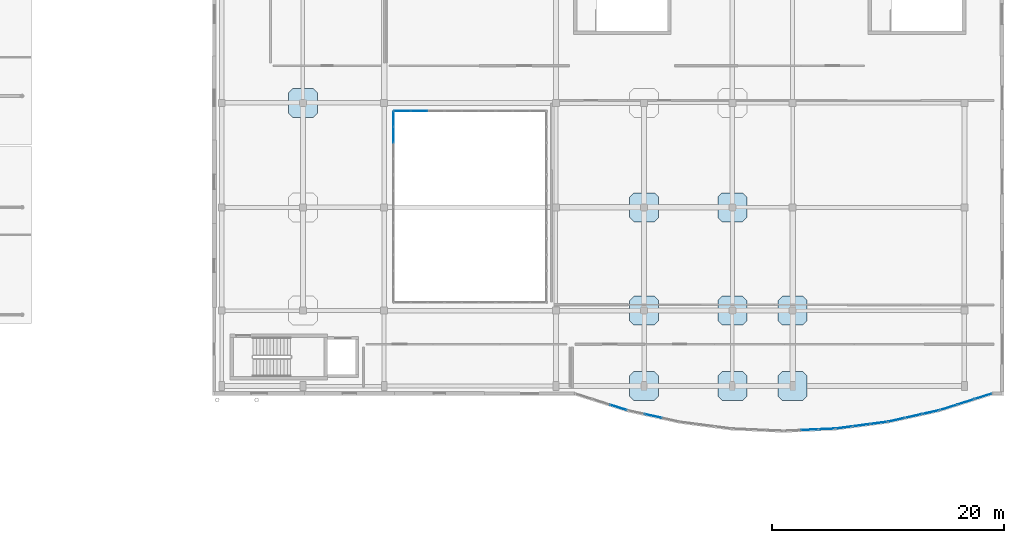
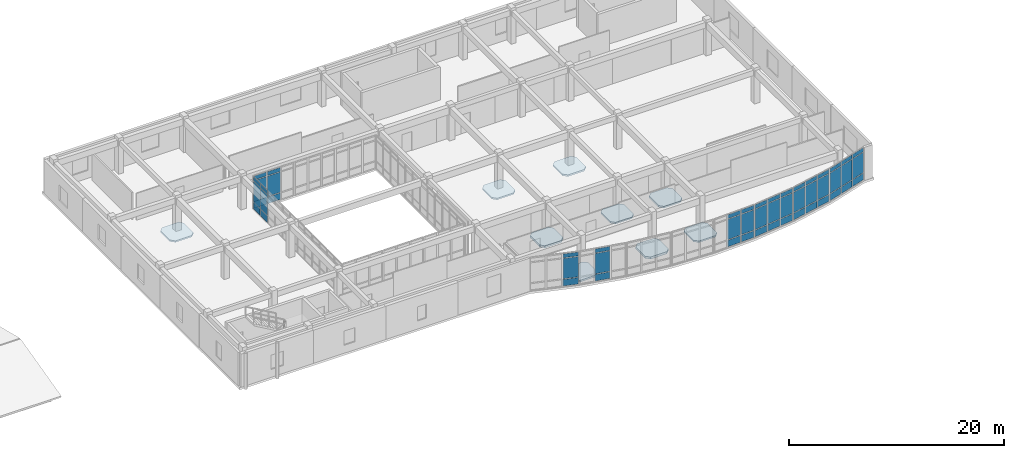
# One storey, part 68 of 91: 51 plates, 9 slabs, 8 elements without a shape of their own.
"""IFC4 building model written with IfcOpenShell, lengths in metres."""

from ifc_helpers import new_model, si_unit, direction, frame, origin, origin_2d, place, context, subcontext, project, spatial, polyline, rectangle, outline, extrude, material, layer, layer_set, type_object, element, aggregate, save


model = new_model("IFC4")

# Units and contexts
model_context = context("Model", 3, precision=1e-05, world=origin(), true_north=direction((0.0, 1.0)))
body_context = subcontext(model_context, "Body", "Model", "MODEL_VIEW")
ifc_project = project(units=[si_unit("LENGTHUNIT", "METRE"), si_unit("AREAUNIT", "SQUARE_METRE"), si_unit("VOLUMEUNIT", "CUBIC_METRE"), si_unit("PLANEANGLEUNIT", "RADIAN"), si_unit("MASSUNIT", "GRAM", prefix="KILO")], contexts=[model_context])

# Site, building, storey
site_placement = place(None, origin())
site = spatial("IfcSite", under=ifc_project, at=site_placement, CompositionType="ELEMENT")
building_placement = place(site_placement, origin())
building = spatial("IfcBuilding", under=site, at=building_placement, Name="Valcora Specialist Clinic", CompositionType="ELEMENT")
storey_placement = place(building_placement, frame((0.0, 0.0, 13.60009765625)))
storey = spatial("IfcBuildingStorey", under=building, at=storey_placement, Name="L03", CompositionType="ELEMENT", Elevation=13.60009765625)

# Curtain wall, plates
ifc_material_1 = material(Name="Anodized Bronze Aluminium 6063-T6", Category="aluminium")
ifc_layer_1 = layer(ifc_material_1, 0.175048828125)
ifc_layer_set_1 = layer_set([ifc_layer_1], Name="Anodized Bronze Aluminium 6063-T6")
curtain_wall_type_1 = type_object("IfcCurtainWallType", Name="TY-CW-ARC40", PredefinedType="NOTDEFINED", material=ifc_layer_set_1)
curtain_wall_1_placement = place(storey_placement, origin())
curtain_wall_1 = element("IfcCurtainWall", 1, at=curtain_wall_1_placement, inside=storey, type_object=curtain_wall_type_1, Name="Curtain wall CW-L03-118", PredefinedType="NOTDEFINED")
ifc_material_2 = material(Name="Low-E Laminated Insulating Glass", Category="glass")
ifc_layer_2 = layer(ifc_material_2, 0.028076171875)
ifc_layer_set_2 = layer_set([ifc_layer_2], Name="Low-E Laminated Insulating Glass")
plate_type_1 = type_object("IfcPlateType", Name="TY-CWP-GLZ28", PredefinedType="CURTAIN_PANEL", material=ifc_layer_set_2)
plate_1_placement = place(storey_placement, frame((123.09716796875, 72.543701171875, 0.88232421875), z_axis=(0.0, 0.0, 1.0), x_axis=(-0.976278614432, -0.216518052372, 0.0)))
plate_1 = element("IfcPlate", 2, at=plate_1_placement, type_object=plate_type_1, Name="CW-ARC-40 panel 1.2", PredefinedType="CURTAIN_PANEL", context=body_context, shape_type="SweptSolid", body=[
    extrude(rectangle(XDim=1.4345703125, YDim=0.028076171875, at=origin_2d()), origin(), (0.0, 0.0, 1.0), 2.31005859375),
])
plate_2_placement = place(storey_placement, frame((123.09716796875, 72.543701171875, 3.25732421875), z_axis=(0.0, 0.0, 1.0), x_axis=(-0.976278614432, -0.216518052372, 0.0)))
plate_2 = element("IfcPlate", 3, at=plate_2_placement, type_object=plate_type_1, Name="CW-ARC-40 panel 1.3", PredefinedType="CURTAIN_PANEL", context=body_context, shape_type="SweptSolid", body=[
    extrude(rectangle(XDim=1.4345703125, YDim=0.028076171875, at=origin_2d()), origin(), (0.0, 0.0, 1.0), 0.452392578125),
])
plate_3_placement = place(storey_placement, frame((121.617431640625, 72.21533203125, 0.88232421875), z_axis=(0.0, 0.0, 1.0), x_axis=(-0.976278614432, -0.216518052372, 0.0)))
plate_3 = element("IfcPlate", 4, at=plate_3_placement, type_object=plate_type_1, Name="CW-ARC-40 panel 2.2", PredefinedType="CURTAIN_PANEL", context=body_context, shape_type="SweptSolid", body=[
    extrude(rectangle(XDim=1.467041015625, YDim=0.028076171875, at=origin_2d()), origin(), (0.0, 0.0, 1.0), 2.31005859375),
])
plate_4_placement = place(storey_placement, frame((121.617431640625, 72.21533203125, 3.25732421875), z_axis=(0.0, 0.0, 1.0), x_axis=(-0.976278614432, -0.216518052372, 0.0)))
plate_4 = element("IfcPlate", 5, at=plate_4_placement, type_object=plate_type_1, Name="CW-ARC-40 panel 2.3", PredefinedType="CURTAIN_PANEL", context=body_context, shape_type="SweptSolid", body=[
    extrude(rectangle(XDim=1.467041015625, YDim=0.028076171875, at=origin_2d()), origin(), (0.0, 0.0, 1.0), 0.452392578125),
])
plate_5_placement = place(storey_placement, frame((120.1376953125, 71.88720703125, 0.88232421875), z_axis=(0.0, 0.0, 1.0), x_axis=(-0.976278614432, -0.216518052372, 0.0)))
plate_5 = element("IfcPlate", 6, at=plate_5_placement, type_object=plate_type_1, Name="CW-ARC-40 panel 3.2", PredefinedType="CURTAIN_PANEL", context=body_context, shape_type="SweptSolid", body=[
    extrude(rectangle(XDim=1.4345703125, YDim=0.028076171875, at=origin_2d()), origin(), (0.0, 0.0, 1.0), 2.31005859375),
])
plate_6_placement = place(storey_placement, frame((120.1376953125, 71.88720703125, 3.25732421875), z_axis=(0.0, 0.0, 1.0), x_axis=(-0.976278614432, -0.216518052372, 0.0)))
plate_6 = element("IfcPlate", 7, at=plate_6_placement, type_object=plate_type_1, Name="CW-ARC-40 panel 3.3", PredefinedType="CURTAIN_PANEL", context=body_context, shape_type="SweptSolid", body=[
    extrude(rectangle(XDim=1.4345703125, YDim=0.028076171875, at=origin_2d()), origin(), (0.0, 0.0, 1.0), 0.452392578125),
])

curtain_wall_2_placement = place(storey_placement, origin())
curtain_wall_2 = element("IfcCurtainWall", 8, at=curtain_wall_2_placement, inside=storey, type_object=curtain_wall_type_1, Name="Curtain wall CW-L03-120", PredefinedType="NOTDEFINED")
plate_7_placement = place(storey_placement, frame((114.123046875, 71.096435546875, 0.88232421875), z_axis=(0.0, 0.0, 1.0), x_axis=(-0.999061821291, -0.043306780525, 0.0)))
plate_7 = element("IfcPlate", 9, at=plate_7_placement, type_object=plate_type_1, Name="CW-ARC-40 panel 1.2", PredefinedType="CURTAIN_PANEL", context=body_context, shape_type="SweptSolid", body=[
    extrude(rectangle(XDim=1.399658203125, YDim=0.028076171875, at=origin_2d()), origin(), (0.0, 0.0, 1.0), 2.31005859375),
])
plate_8_placement = place(storey_placement, frame((114.123046875, 71.096435546875, 3.25732421875), z_axis=(0.0, 0.0, 1.0), x_axis=(-0.999061821291, -0.043306780525, 0.0)))
plate_8 = element("IfcPlate", 10, at=plate_8_placement, type_object=plate_type_1, Name="CW-ARC-40 panel 1.3", PredefinedType="CURTAIN_PANEL", context=body_context, shape_type="SweptSolid", body=[
    extrude(rectangle(XDim=1.399658203125, YDim=0.028076171875, at=origin_2d()), origin(), (0.0, 0.0, 1.0), 0.452392578125),
])
plate_9_placement = place(storey_placement, frame((112.6435546875, 71.032470703125, 0.88232421875), z_axis=(0.0, 0.0, 1.0), x_axis=(-0.999061821291, -0.043306780525, 0.0)))
plate_9 = element("IfcPlate", 11, at=plate_9_placement, type_object=plate_type_1, Name="CW-ARC-40 panel 2.2", PredefinedType="CURTAIN_PANEL", context=body_context, shape_type="SweptSolid", body=[
    extrude(rectangle(XDim=1.43212890625, YDim=0.028076171875, at=origin_2d()), origin(), (0.0, 0.0, 1.0), 2.31005859375),
])
plate_10_placement = place(storey_placement, frame((112.6435546875, 71.032470703125, 3.25732421875), z_axis=(0.0, 0.0, 1.0), x_axis=(-0.999061821291, -0.043306780525, 0.0)))
plate_10 = element("IfcPlate", 12, at=plate_10_placement, type_object=plate_type_1, Name="CW-ARC-40 panel 2.3", PredefinedType="CURTAIN_PANEL", context=body_context, shape_type="SweptSolid", body=[
    extrude(rectangle(XDim=1.43212890625, YDim=0.028076171875, at=origin_2d()), origin(), (0.0, 0.0, 1.0), 0.452392578125),
])

curtain_wall_3_placement = place(storey_placement, origin())
curtain_wall_3 = element("IfcCurtainWall", 13, at=curtain_wall_3_placement, inside=storey, type_object=curtain_wall_type_1, Name="Curtain wall CW-L03-124", PredefinedType="NOTDEFINED")
plate_11_placement = place(storey_placement, frame((96.1708984375, 72.95751953125, 0.88232421875), z_axis=(0.0, 0.0, 1.0), x_axis=(-0.952916356972, 0.303233270958, 0.0)))
plate_11 = element("IfcPlate", 14, at=plate_11_placement, type_object=plate_type_1, Name="CW-ARC-40 panel 1.2", PredefinedType="CURTAIN_PANEL", context=body_context, shape_type="SweptSolid", body=[
    extrude(rectangle(XDim=1.482177734375, YDim=0.028076171875, at=origin_2d()), origin(), (0.0, 0.0, 1.0), 2.31005859375),
])
plate_12_placement = place(storey_placement, frame((96.1708984375, 72.95751953125, 3.25732421875), z_axis=(0.0, 0.0, 1.0), x_axis=(-0.952916356972, 0.303233270958, 0.0)))
plate_12 = element("IfcPlate", 15, at=plate_12_placement, type_object=plate_type_1, Name="CW-ARC-40 panel 1.3", PredefinedType="CURTAIN_PANEL", context=body_context, shape_type="SweptSolid", body=[
    extrude(rectangle(XDim=1.482177734375, YDim=0.028076171875, at=origin_2d()), origin(), (0.0, 0.0, 1.0), 0.452392578125),
])

ifc_layer_3 = layer(ifc_material_1, 0.175048828125)
ifc_layer_set_3 = layer_set([ifc_layer_3], Name="Anodized Bronze Aluminium 6063-T6")
curtain_wall_type_2 = type_object("IfcCurtainWallType", Name="TY-CW-CRT15", PredefinedType="NOTDEFINED", material=ifc_layer_set_3)
curtain_wall_4_placement = place(storey_placement, origin())
curtain_wall_4 = element("IfcCurtainWall", 16, at=curtain_wall_4_placement, inside=storey, type_object=curtain_wall_type_2, Name="Curtain wall CW-L03-134", PredefinedType="NOTDEFINED")
plate_13_placement = place(storey_placement, frame((76.800048828125, 97.796142578125, 0.88232421875), z_axis=(0.0, 0.0, 1.0), x_axis=(0.0, -1.0, 0.0)))
plate_13 = element("IfcPlate", 17, at=plate_13_placement, type_object=plate_type_1, Name="CW-CRT-15 panel 1.2", PredefinedType="CURTAIN_PANEL", context=body_context, shape_type="SweptSolid", body=[
    extrude(rectangle(XDim=1.277587890625, YDim=0.028076171875, at=origin_2d()), origin(), (0.0, 0.0, 1.0), 2.31005859375),
])
plate_14_placement = place(storey_placement, frame((76.800048828125, 97.796142578125, 3.25732421875), z_axis=(0.0, 0.0, 1.0), x_axis=(0.0, -1.0, 0.0)))
plate_14 = element("IfcPlate", 18, at=plate_14_placement, type_object=plate_type_1, Name="CW-CRT-15 panel 1.3", PredefinedType="CURTAIN_PANEL", context=body_context, shape_type="SweptSolid", body=[
    extrude(rectangle(XDim=1.277587890625, YDim=0.028076171875, at=origin_2d()), origin(), (0.0, 0.0, 1.0), 0.452392578125),
])
plate_15_placement = place(storey_placement, frame((76.800048828125, 96.4375, 0.88232421875), z_axis=(0.0, 0.0, 1.0), x_axis=(0.0, -1.0, 0.0)))
plate_15 = element("IfcPlate", 19, at=plate_15_placement, type_object=plate_type_1, Name="CW-CRT-15 panel 2.2", PredefinedType="CURTAIN_PANEL", context=body_context, shape_type="SweptSolid", body=[
    extrude(rectangle(XDim=1.31005859375, YDim=0.028076171875, at=origin_2d()), origin(), (0.0, 0.0, 1.0), 2.31005859375),
])
plate_16_placement = place(storey_placement, frame((76.800048828125, 96.4375, 3.25732421875), z_axis=(0.0, 0.0, 1.0), x_axis=(0.0, -1.0, 0.0)))
plate_16 = element("IfcPlate", 20, at=plate_16_placement, type_object=plate_type_1, Name="CW-CRT-15 panel 2.3", PredefinedType="CURTAIN_PANEL", context=body_context, shape_type="SweptSolid", body=[
    extrude(rectangle(XDim=1.31005859375, YDim=0.028076171875, at=origin_2d()), origin(), (0.0, 0.0, 1.0), 0.452392578125),
])

curtain_wall_5_placement = place(storey_placement, origin())
curtain_wall_5 = element("IfcCurtainWall", 21, at=curtain_wall_5_placement, inside=storey, type_object=curtain_wall_type_1, Name="Curtain wall CW-L03-117", PredefinedType="NOTDEFINED")
ifc_layer_4 = layer(ifc_material_2, 0.033935546875)
ifc_layer_set_4 = layer_set([ifc_layer_4], Name="Low-E Laminated Insulating Glass")
plate_type_2 = type_object("IfcPlateType", Name="TY-CWP-GLZ34", PredefinedType="CURTAIN_PANEL", material=ifc_layer_set_4)
plate_17_placement = place(storey_placement, frame((127.608642578125, 73.905517578125, 0.88232421875), z_axis=(0.0, 0.0, 1.0), x_axis=(-0.952916356972, -0.303233270958, 0.0)))
plate_17 = element("IfcPlate", 22, at=plate_17_placement, type_object=plate_type_2, Name="CW-ARC-40 panel 1.2", PredefinedType="CURTAIN_PANEL", context=body_context, shape_type="SweptSolid", body=[
    extrude(rectangle(XDim=1.482177734375, YDim=0.033935546875, at=origin_2d()), origin(), (0.0, 0.0, 1.0), 2.31005859375),
])
plate_18_placement = place(storey_placement, frame((127.608642578125, 73.905517578125, 3.25732421875), z_axis=(0.0, 0.0, 1.0), x_axis=(-0.952916356972, -0.303233270958, 0.0)))
plate_18 = element("IfcPlate", 23, at=plate_18_placement, type_object=plate_type_2, Name="CW-ARC-40 panel 1.3", PredefinedType="CURTAIN_PANEL", context=body_context, shape_type="SweptSolid", body=[
    extrude(rectangle(XDim=1.482177734375, YDim=0.033935546875, at=origin_2d()), origin(), (0.0, 0.0, 1.0), 0.452392578125),
])
plate_19_placement = place(storey_placement, frame((126.118896484375, 73.431396484375, 0.88232421875), z_axis=(0.0, 0.0, 1.0), x_axis=(-0.952916356972, -0.303233270958, 0.0)))
plate_19 = element("IfcPlate", 24, at=plate_19_placement, type_object=plate_type_2, Name="CW-ARC-40 panel 2.2", PredefinedType="CURTAIN_PANEL", context=body_context, shape_type="SweptSolid", body=[
    extrude(rectangle(XDim=1.5146484375, YDim=0.033935546875, at=origin_2d()), origin(), (0.0, 0.0, 1.0), 2.31005859375),
])
plate_20_placement = place(storey_placement, frame((126.118896484375, 73.431396484375, 3.25732421875), z_axis=(0.0, 0.0, 1.0), x_axis=(-0.952916356972, -0.303233270958, 0.0)))
plate_20 = element("IfcPlate", 25, at=plate_20_placement, type_object=plate_type_2, Name="CW-ARC-40 panel 2.3", PredefinedType="CURTAIN_PANEL", context=body_context, shape_type="SweptSolid", body=[
    extrude(rectangle(XDim=1.5146484375, YDim=0.033935546875, at=origin_2d()), origin(), (0.0, 0.0, 1.0), 0.452392578125),
])
plate_21_placement = place(storey_placement, frame((124.62890625, 72.95751953125, 0.88232421875), z_axis=(0.0, 0.0, 1.0), x_axis=(-0.952916356972, -0.303233270958, 0.0)))
plate_21 = element("IfcPlate", 26, at=plate_21_placement, type_object=plate_type_2, Name="CW-ARC-40 panel 3.2", PredefinedType="CURTAIN_PANEL", context=body_context, shape_type="SweptSolid", body=[
    extrude(rectangle(XDim=1.482177734375, YDim=0.033935546875, at=origin_2d()), origin(), (0.0, 0.0, 1.0), 2.31005859375),
])
plate_22_placement = place(storey_placement, frame((124.62890625, 72.95751953125, 3.25732421875), z_axis=(0.0, 0.0, 1.0), x_axis=(-0.952916356972, -0.303233270958, 0.0)))
plate_22 = element("IfcPlate", 27, at=plate_22_placement, type_object=plate_type_2, Name="CW-ARC-40 panel 3.3", PredefinedType="CURTAIN_PANEL", context=body_context, shape_type="SweptSolid", body=[
    extrude(rectangle(XDim=1.482177734375, YDim=0.033935546875, at=origin_2d()), origin(), (0.0, 0.0, 1.0), 0.452392578125),
])

curtain_wall_6_placement = place(storey_placement, origin())
curtain_wall_6 = element("IfcCurtainWall", 28, at=curtain_wall_6_placement, inside=storey, type_object=curtain_wall_type_1, Name="Curtain wall CW-L03-119", PredefinedType="NOTDEFINED")
plate_23_placement = place(storey_placement, frame((118.610107421875, 71.61767578125, 0.88232421875), z_axis=(0.0, 0.0, 1.0), x_axis=(-0.991514060421, -0.129999492259, 0.0)))
plate_23 = element("IfcPlate", 29, at=plate_23_placement, type_object=plate_type_2, Name="CW-ARC-40 panel 1.2", PredefinedType="CURTAIN_PANEL", context=body_context, shape_type="SweptSolid", body=[
    extrude(rectangle(XDim=1.410888671875, YDim=0.033935546875, at=origin_2d()), origin(), (0.0, 0.0, 1.0), 2.31005859375),
])
plate_24_placement = place(storey_placement, frame((118.610107421875, 71.61767578125, 3.25732421875), z_axis=(0.0, 0.0, 1.0), x_axis=(-0.991514060421, -0.129999492259, 0.0)))
plate_24 = element("IfcPlate", 30, at=plate_24_placement, type_object=plate_type_2, Name="CW-ARC-40 panel 1.3", PredefinedType="CURTAIN_PANEL", context=body_context, shape_type="SweptSolid", body=[
    extrude(rectangle(XDim=1.410888671875, YDim=0.033935546875, at=origin_2d()), origin(), (0.0, 0.0, 1.0), 0.452392578125),
])
plate_25_placement = place(storey_placement, frame((117.130615234375, 71.423828125, 0.88232421875), z_axis=(0.0, 0.0, 1.0), x_axis=(-0.991514060421, -0.129999492259, 0.0)))
plate_25 = element("IfcPlate", 31, at=plate_25_placement, type_object=plate_type_2, Name="CW-ARC-40 panel 2.2", PredefinedType="CURTAIN_PANEL", context=body_context, shape_type="SweptSolid", body=[
    extrude(rectangle(XDim=1.443359375, YDim=0.033935546875, at=origin_2d()), origin(), (0.0, 0.0, 1.0), 2.31005859375),
])
plate_26_placement = place(storey_placement, frame((117.130615234375, 71.423828125, 3.25732421875), z_axis=(0.0, 0.0, 1.0), x_axis=(-0.991514060421, -0.129999492259, 0.0)))
plate_26 = element("IfcPlate", 32, at=plate_26_placement, type_object=plate_type_2, Name="CW-ARC-40 panel 2.3", PredefinedType="CURTAIN_PANEL", context=body_context, shape_type="SweptSolid", body=[
    extrude(rectangle(XDim=1.443359375, YDim=0.033935546875, at=origin_2d()), origin(), (0.0, 0.0, 1.0), 0.452392578125),
])
plate_27_placement = place(storey_placement, frame((115.65087890625, 71.229736328125, 0.88232421875), z_axis=(0.0, 0.0, 1.0), x_axis=(-0.991514060421, -0.129999492259, 0.0)))
plate_27 = element("IfcPlate", 33, at=plate_27_placement, type_object=plate_type_2, Name="CW-ARC-40 panel 3.2", PredefinedType="CURTAIN_PANEL", context=body_context, shape_type="SweptSolid", body=[
    extrude(rectangle(XDim=1.410888671875, YDim=0.033935546875, at=origin_2d()), origin(), (0.0, 0.0, 1.0), 2.31005859375),
])
plate_28_placement = place(storey_placement, frame((115.65087890625, 71.229736328125, 3.25732421875), z_axis=(0.0, 0.0, 1.0), x_axis=(-0.991514060421, -0.129999492259, 0.0)))
plate_28 = element("IfcPlate", 34, at=plate_28_placement, type_object=plate_type_2, Name="CW-ARC-40 panel 3.3", PredefinedType="CURTAIN_PANEL", context=body_context, shape_type="SweptSolid", body=[
    extrude(rectangle(XDim=1.410888671875, YDim=0.033935546875, at=origin_2d()), origin(), (0.0, 0.0, 1.0), 0.452392578125),
])

curtain_wall_7_placement = place(storey_placement, origin())
curtain_wall_7 = element("IfcCurtainWall", 35, at=curtain_wall_7_placement, inside=storey, type_object=curtain_wall_type_1, Name="Curtain wall CW-L03-123", PredefinedType="NOTDEFINED")
plate_29_placement = place(storey_placement, frame((99.1826171875, 72.21533203125, 0.88232421875), z_axis=(0.0, 0.0, 1.0), x_axis=(-0.976278614432, 0.216518052372, 0.0)))
plate_29 = element("IfcPlate", 36, at=plate_29_placement, type_object=plate_type_2, Name="CW-ARC-40 panel 2.2", PredefinedType="CURTAIN_PANEL", context=body_context, shape_type="SweptSolid", body=[
    extrude(rectangle(XDim=1.467041015625, YDim=0.033935546875, at=origin_2d()), origin(), (0.0, 0.0, 1.0), 2.31005859375),
])
plate_30_placement = place(storey_placement, frame((99.1826171875, 72.21533203125, 3.25732421875), z_axis=(0.0, 0.0, 1.0), x_axis=(-0.976278614432, 0.216518052372, 0.0)))
plate_30 = element("IfcPlate", 37, at=plate_30_placement, type_object=plate_type_2, Name="CW-ARC-40 panel 2.3", PredefinedType="CURTAIN_PANEL", context=body_context, shape_type="SweptSolid", body=[
    extrude(rectangle(XDim=1.467041015625, YDim=0.033935546875, at=origin_2d()), origin(), (0.0, 0.0, 1.0), 0.452392578125),
])

curtain_wall_8_placement = place(storey_placement, origin())
curtain_wall_8 = element("IfcCurtainWall", 38, at=curtain_wall_8_placement, inside=storey, type_object=curtain_wall_type_2, Name="Curtain wall CW-L03-133", PredefinedType="NOTDEFINED")
plate_31_placement = place(storey_placement, frame((79.0, 98.5, 0.88232421875), z_axis=(0.0, 0.0, 1.0), x_axis=(-1.0, 0.0, 0.0)))
plate_31 = element("IfcPlate", 39, at=plate_31_placement, type_object=plate_type_2, Name="CW-CRT-15 panel 2.2", PredefinedType="CURTAIN_PANEL", context=body_context, shape_type="SweptSolid", body=[
    extrude(rectangle(XDim=1.401611328125, YDim=0.033935546875, at=origin_2d()), origin(), (0.0, 0.0, 1.0), 2.31005859375),
])
plate_32_placement = place(storey_placement, frame((79.0, 98.5, 3.25732421875), z_axis=(0.0, 0.0, 1.0), x_axis=(-1.0, 0.0, 0.0)))
plate_32 = element("IfcPlate", 40, at=plate_32_placement, type_object=plate_type_2, Name="CW-CRT-15 panel 2.3", PredefinedType="CURTAIN_PANEL", context=body_context, shape_type="SweptSolid", body=[
    extrude(rectangle(XDim=1.401611328125, YDim=0.033935546875, at=origin_2d()), origin(), (0.0, 0.0, 1.0), 0.452392578125),
])
plate_33_placement = place(storey_placement, frame((77.549560546875, 98.5, 0.88232421875), z_axis=(0.0, 0.0, 1.0), x_axis=(-1.0, 0.0, 0.0)))
plate_33 = element("IfcPlate", 41, at=plate_33_placement, type_object=plate_type_2, Name="CW-CRT-15 panel 3.2", PredefinedType="CURTAIN_PANEL", context=body_context, shape_type="SweptSolid", body=[
    extrude(rectangle(XDim=1.369140625, YDim=0.033935546875, at=origin_2d()), origin(), (0.0, 0.0, 1.0), 2.31005859375),
])
plate_34_placement = place(storey_placement, frame((77.549560546875, 98.5, 3.25732421875), z_axis=(0.0, 0.0, 1.0), x_axis=(-1.0, 0.0, 0.0)))
plate_34 = element("IfcPlate", 42, at=plate_34_placement, type_object=plate_type_2, Name="CW-CRT-15 panel 3.3", PredefinedType="CURTAIN_PANEL", context=body_context, shape_type="SweptSolid", body=[
    extrude(rectangle(XDim=1.369140625, YDim=0.033935546875, at=origin_2d()), origin(), (0.0, 0.0, 1.0), 0.452392578125),
])

# Plate
ifc_material_3 = material(Name="Insulated Spandrel Panel")
ifc_layer_5 = layer(ifc_material_3, 0.044921875)
ifc_layer_set_5 = layer_set([ifc_layer_5], Name="Insulated Spandrel Panel")
plate_type_3 = type_object("IfcPlateType", Name="TY-CWP-SPN45", PredefinedType="SHEET", material=ifc_layer_set_5)
plate_35_placement = place(storey_placement, frame((127.608642578125, 73.905517578125, 0.06494140625), z_axis=(0.0, 0.0, 1.0), x_axis=(-0.952916356972, -0.303233270958, 0.0)))
plate_35 = element("IfcPlate", 43, at=plate_35_placement, type_object=plate_type_3, Name="CW-ARC-40 panel 1.1", PredefinedType="SHEET", context=body_context, shape_type="SweptSolid", body=[
    extrude(rectangle(XDim=1.482177734375, YDim=0.044921875, at=origin_2d()), origin(), (0.0, 0.0, 1.0), 0.75244140625),
])

plate_36_placement = place(storey_placement, frame((126.118896484375, 73.431396484375, 0.06494140625), z_axis=(0.0, 0.0, 1.0), x_axis=(-0.952916356972, -0.303233270958, 0.0)))
plate_36 = element("IfcPlate", 44, at=plate_36_placement, type_object=plate_type_3, Name="CW-ARC-40 panel 2.1", PredefinedType="SHEET", context=body_context, shape_type="SweptSolid", body=[
    extrude(rectangle(XDim=1.5146484375, YDim=0.044921875, at=origin_2d()), origin(), (0.0, 0.0, 1.0), 0.75244140625),
])

plate_37_placement = place(storey_placement, frame((124.62890625, 72.95751953125, 0.06494140625), z_axis=(0.0, 0.0, 1.0), x_axis=(-0.952916356972, -0.303233270958, 0.0)))
plate_37 = element("IfcPlate", 45, at=plate_37_placement, type_object=plate_type_3, Name="CW-ARC-40 panel 3.1", PredefinedType="SHEET", context=body_context, shape_type="SweptSolid", body=[
    extrude(rectangle(XDim=1.482177734375, YDim=0.044921875, at=origin_2d()), origin(), (0.0, 0.0, 1.0), 0.75244140625),
])

aggregate(curtain_wall_5, [plate_35, plate_17, plate_18, plate_36, plate_19, plate_20, plate_37, plate_21, plate_22])

plate_38_placement = place(storey_placement, frame((123.09716796875, 72.543701171875, 0.06494140625), z_axis=(0.0, 0.0, 1.0), x_axis=(-0.976278614432, -0.216518052372, 0.0)))
plate_38 = element("IfcPlate", 46, at=plate_38_placement, type_object=plate_type_3, Name="CW-ARC-40 panel 1.1", PredefinedType="SHEET", context=body_context, shape_type="SweptSolid", body=[
    extrude(rectangle(XDim=1.4345703125, YDim=0.044921875, at=origin_2d()), origin(), (0.0, 0.0, 1.0), 0.75244140625),
])

plate_39_placement = place(storey_placement, frame((121.617431640625, 72.21533203125, 0.06494140625), z_axis=(0.0, 0.0, 1.0), x_axis=(-0.976278614432, -0.216518052372, 0.0)))
plate_39 = element("IfcPlate", 47, at=plate_39_placement, type_object=plate_type_3, Name="CW-ARC-40 panel 2.1", PredefinedType="SHEET", context=body_context, shape_type="SweptSolid", body=[
    extrude(rectangle(XDim=1.467041015625, YDim=0.044921875, at=origin_2d()), origin(), (0.0, 0.0, 1.0), 0.75244140625),
])

plate_40_placement = place(storey_placement, frame((120.1376953125, 71.88720703125, 0.06494140625), z_axis=(0.0, 0.0, 1.0), x_axis=(-0.976278614432, -0.216518052372, 0.0)))
plate_40 = element("IfcPlate", 48, at=plate_40_placement, type_object=plate_type_3, Name="CW-ARC-40 panel 3.1", PredefinedType="SHEET", context=body_context, shape_type="SweptSolid", body=[
    extrude(rectangle(XDim=1.4345703125, YDim=0.044921875, at=origin_2d()), origin(), (0.0, 0.0, 1.0), 0.75244140625),
])

aggregate(curtain_wall_1, [plate_38, plate_1, plate_2, plate_39, plate_3, plate_4, plate_40, plate_5, plate_6])

plate_41_placement = place(storey_placement, frame((118.610107421875, 71.61767578125, 0.06494140625), z_axis=(0.0, 0.0, 1.0), x_axis=(-0.991514060421, -0.129999492259, 0.0)))
plate_41 = element("IfcPlate", 49, at=plate_41_placement, type_object=plate_type_3, Name="CW-ARC-40 panel 1.1", PredefinedType="SHEET", context=body_context, shape_type="SweptSolid", body=[
    extrude(rectangle(XDim=1.410888671875, YDim=0.044921875, at=origin_2d()), origin(), (0.0, 0.0, 1.0), 0.75244140625),
])

plate_42_placement = place(storey_placement, frame((117.130615234375, 71.423828125, 0.06494140625), z_axis=(0.0, 0.0, 1.0), x_axis=(-0.991514060421, -0.129999492259, 0.0)))
plate_42 = element("IfcPlate", 50, at=plate_42_placement, type_object=plate_type_3, Name="CW-ARC-40 panel 2.1", PredefinedType="SHEET", context=body_context, shape_type="SweptSolid", body=[
    extrude(rectangle(XDim=1.443359375, YDim=0.044921875, at=origin_2d()), origin(), (0.0, 0.0, 1.0), 0.75244140625),
])

plate_43_placement = place(storey_placement, frame((115.65087890625, 71.229736328125, 0.06494140625), z_axis=(0.0, 0.0, 1.0), x_axis=(-0.991514060421, -0.129999492259, 0.0)))
plate_43 = element("IfcPlate", 51, at=plate_43_placement, type_object=plate_type_3, Name="CW-ARC-40 panel 3.1", PredefinedType="SHEET", context=body_context, shape_type="SweptSolid", body=[
    extrude(rectangle(XDim=1.410888671875, YDim=0.044921875, at=origin_2d()), origin(), (0.0, 0.0, 1.0), 0.75244140625),
])

aggregate(curtain_wall_6, [plate_41, plate_23, plate_24, plate_42, plate_25, plate_26, plate_43, plate_27, plate_28])

plate_44_placement = place(storey_placement, frame((114.123046875, 71.096435546875, 0.06494140625), z_axis=(0.0, 0.0, 1.0), x_axis=(-0.999061821291, -0.043306780525, 0.0)))
plate_44 = element("IfcPlate", 52, at=plate_44_placement, type_object=plate_type_3, Name="CW-ARC-40 panel 1.1", PredefinedType="SHEET", context=body_context, shape_type="SweptSolid", body=[
    extrude(rectangle(XDim=1.399658203125, YDim=0.044921875, at=origin_2d()), origin(), (0.0, 0.0, 1.0), 0.75244140625),
])

plate_45_placement = place(storey_placement, frame((112.6435546875, 71.032470703125, 0.06494140625), z_axis=(0.0, 0.0, 1.0), x_axis=(-0.999061821291, -0.043306780525, 0.0)))
plate_45 = element("IfcPlate", 53, at=plate_45_placement, type_object=plate_type_3, Name="CW-ARC-40 panel 2.1", PredefinedType="SHEET", context=body_context, shape_type="SweptSolid", body=[
    extrude(rectangle(XDim=1.43212890625, YDim=0.044921875, at=origin_2d()), origin(), (0.0, 0.0, 1.0), 0.75244140625),
])

aggregate(curtain_wall_2, [plate_44, plate_7, plate_8, plate_45, plate_9, plate_10])

plate_46_placement = place(storey_placement, frame((99.1826171875, 72.21533203125, 0.06494140625), z_axis=(0.0, 0.0, 1.0), x_axis=(-0.976278614432, 0.216518052372, 0.0)))
plate_46 = element("IfcPlate", 54, at=plate_46_placement, type_object=plate_type_3, Name="CW-ARC-40 panel 2.1", PredefinedType="SHEET", context=body_context, shape_type="SweptSolid", body=[
    extrude(rectangle(XDim=1.467041015625, YDim=0.044921875, at=origin_2d()), origin(), (0.0, 0.0, 1.0), 0.75244140625),
])

aggregate(curtain_wall_7, [plate_46, plate_29, plate_30])

plate_47_placement = place(storey_placement, frame((96.1708984375, 72.95751953125, 0.06494140625), z_axis=(0.0, 0.0, 1.0), x_axis=(-0.952916356972, 0.303233270958, 0.0)))
plate_47 = element("IfcPlate", 55, at=plate_47_placement, type_object=plate_type_3, Name="CW-ARC-40 panel 1.1", PredefinedType="SHEET", context=body_context, shape_type="SweptSolid", body=[
    extrude(rectangle(XDim=1.482177734375, YDim=0.044921875, at=origin_2d()), origin(), (0.0, 0.0, 1.0), 0.75244140625),
])

aggregate(curtain_wall_3, [plate_47, plate_11, plate_12])

plate_48_placement = place(storey_placement, frame((79.0, 98.5, 0.06494140625), z_axis=(0.0, 0.0, 1.0), x_axis=(-1.0, 0.0, 0.0)))
plate_48 = element("IfcPlate", 56, at=plate_48_placement, type_object=plate_type_3, Name="CW-CRT-15 panel 2.1", PredefinedType="SHEET", context=body_context, shape_type="SweptSolid", body=[
    extrude(rectangle(XDim=1.401611328125, YDim=0.044921875, at=origin_2d()), origin(), (0.0, 0.0, 1.0), 0.75244140625),
])

plate_49_placement = place(storey_placement, frame((77.549560546875, 98.5, 0.06494140625), z_axis=(0.0, 0.0, 1.0), x_axis=(-1.0, 0.0, 0.0)))
plate_49 = element("IfcPlate", 57, at=plate_49_placement, type_object=plate_type_3, Name="CW-CRT-15 panel 3.1", PredefinedType="SHEET", context=body_context, shape_type="SweptSolid", body=[
    extrude(rectangle(XDim=1.369140625, YDim=0.044921875, at=origin_2d()), origin(), (0.0, 0.0, 1.0), 0.75244140625),
])

aggregate(curtain_wall_8, [plate_48, plate_31, plate_32, plate_49, plate_33, plate_34])

plate_50_placement = place(storey_placement, frame((76.800048828125, 97.796142578125, 0.06494140625), z_axis=(0.0, 0.0, 1.0), x_axis=(0.0, -1.0, 0.0)))
plate_50 = element("IfcPlate", 58, at=plate_50_placement, type_object=plate_type_3, Name="CW-CRT-15 panel 1.1", PredefinedType="SHEET", context=body_context, shape_type="SweptSolid", body=[
    extrude(rectangle(XDim=1.277587890625, YDim=0.044921875, at=origin_2d()), origin(), (0.0, 0.0, 1.0), 0.75244140625),
])

plate_51_placement = place(storey_placement, frame((76.800048828125, 96.4375, 0.06494140625), z_axis=(0.0, 0.0, 1.0), x_axis=(0.0, -1.0, 0.0)))
plate_51 = element("IfcPlate", 59, at=plate_51_placement, type_object=plate_type_3, Name="CW-CRT-15 panel 2.1", PredefinedType="SHEET", context=body_context, shape_type="SweptSolid", body=[
    extrude(rectangle(XDim=1.31005859375, YDim=0.044921875, at=origin_2d()), origin(), (0.0, 0.0, 1.0), 0.75244140625),
])

aggregate(curtain_wall_4, [plate_50, plate_13, plate_14, plate_51, plate_15, plate_16])

# Slabs
ifc_material_4 = material(Name="Concrete C40/50", Category="concrete")
ifc_layer_6 = layer(ifc_material_4, 0.175048828125)
ifc_layer_set_6 = layer_set([ifc_layer_6], Name="Concrete C40/50")
slab_type_1 = type_object("IfcSlabType", Name="TY-SL-DP175", PredefinedType="FLOOR", material=ifc_layer_set_6)
slab_1_placement = place(storey_placement, frame((0.0, 0.0, -0.43505859375)))
element("IfcSlab", 60, at=slab_1_placement, inside=storey, type_object=slab_type_1, Name="V4 column drop panel SL-L03-062", PredefinedType="FLOOR", context=body_context, shape_type="SweptSolid", body=[
    extrude(outline(polyline([(68.1201171875, 97.949951171875), (69.8798828125, 97.949951171875), (70.25, 98.320068359375), (70.25, 100.080078125), (69.8798828125, 100.449951171875), (68.1201171875, 100.449951171875), (67.75, 100.080078125), (67.75, 98.320068359375), (68.1201171875, 97.949951171875)])), origin(), (0.0, 0.0, 1.0), 0.175048828125),
])
slab_2_placement = place(storey_placement, frame((0.0, 0.0, -0.43505859375)))
element("IfcSlab", 61, at=slab_2_placement, inside=storey, type_object=slab_type_1, Name="V4 column drop panel SL-L03-065", PredefinedType="FLOOR", context=body_context, shape_type="SweptSolid", body=[
    extrude(outline(polyline([(97.52001953125, 88.949951171875), (99.280029296875, 88.949951171875), (99.64990234375, 89.320068359375), (99.64990234375, 91.080078125), (99.280029296875, 91.449951171875), (97.52001953125, 91.449951171875), (97.14990234375, 91.080078125), (97.14990234375, 89.320068359375), (97.52001953125, 88.949951171875)])), origin(), (0.0, 0.0, 1.0), 0.175048828125),
])
slab_3_placement = place(storey_placement, frame((0.0, 0.0, -0.43505859375)))
element("IfcSlab", 62, at=slab_3_placement, inside=storey, type_object=slab_type_1, Name="V4 column drop panel SL-L03-068", PredefinedType="FLOOR", context=body_context, shape_type="SweptSolid", body=[
    extrude(outline(polyline([(105.1201171875, 80.050048828125), (106.8798828125, 80.050048828125), (107.25, 80.419921875), (107.25, 82.179931640625), (106.8798828125, 82.550048828125), (105.1201171875, 82.550048828125), (104.75, 82.179931640625), (104.75, 80.419921875), (105.1201171875, 80.050048828125)])), origin(), (0.0, 0.0, 1.0), 0.175048828125),
])
slab_4_placement = place(storey_placement, frame((0.0, 0.0, -0.43505859375)))
element("IfcSlab", 63, at=slab_4_placement, inside=storey, type_object=slab_type_1, Name="V4 column drop panel SL-L03-071", PredefinedType="FLOOR", context=body_context, shape_type="SweptSolid", body=[
    extrude(outline(polyline([(110.320068359375, 73.550048828125), (112.080078125, 73.550048828125), (112.449951171875, 73.919921875), (112.449951171875, 75.679931640625), (112.080078125, 76.050048828125), (110.320068359375, 76.050048828125), (109.949951171875, 75.679931640625), (109.949951171875, 73.919921875), (110.320068359375, 73.550048828125)])), origin(), (0.0, 0.0, 1.0), 0.175048828125),
])
ifc_layer_7 = layer(ifc_material_4, 0.18994140625)
ifc_layer_set_7 = layer_set([ifc_layer_7], Name="Concrete C40/50")
slab_type_2 = type_object("IfcSlabType", Name="TY-SL-DP190", PredefinedType="FLOOR", material=ifc_layer_set_7)
slab_5_placement = place(storey_placement, frame((0.0, 0.0, -0.4501953125)))
element("IfcSlab", 64, at=slab_5_placement, inside=storey, type_object=slab_type_2, Name="V4 column drop panel SL-L03-063", PredefinedType="FLOOR", context=body_context, shape_type="SweptSolid", body=[
    extrude(outline(polyline([(97.52001953125, 73.550048828125), (99.280029296875, 73.550048828125), (99.64990234375, 73.919921875), (99.64990234375, 75.679931640625), (99.280029296875, 76.050048828125), (97.52001953125, 76.050048828125), (97.14990234375, 75.679931640625), (97.14990234375, 73.919921875), (97.52001953125, 73.550048828125)])), origin(), (0.0, 0.0, 1.0), 0.190185546875),
])
slab_6_placement = place(storey_placement, frame((0.0, 0.0, -0.4501953125)))
element("IfcSlab", 65, at=slab_6_placement, inside=storey, type_object=slab_type_2, Name="V4 column drop panel SL-L03-069", PredefinedType="FLOOR", context=body_context, shape_type="SweptSolid", body=[
    extrude(outline(polyline([(105.1201171875, 88.949951171875), (106.8798828125, 88.949951171875), (107.25, 89.320068359375), (107.25, 91.080078125), (106.8798828125, 91.449951171875), (105.1201171875, 91.449951171875), (104.75, 91.080078125), (104.75, 89.320068359375), (105.1201171875, 88.949951171875)])), origin(), (0.0, 0.0, 1.0), 0.190185546875),
])
slab_7_placement = place(storey_placement, frame((0.0, 0.0, -0.4501953125)))
element("IfcSlab", 66, at=slab_7_placement, inside=storey, type_object=slab_type_2, Name="V4 column drop panel SL-L03-072", PredefinedType="FLOOR", context=body_context, shape_type="SweptSolid", body=[
    extrude(outline(polyline([(110.320068359375, 80.050048828125), (112.080078125, 80.050048828125), (112.449951171875, 80.419921875), (112.449951171875, 82.179931640625), (112.080078125, 82.550048828125), (110.320068359375, 82.550048828125), (109.949951171875, 82.179931640625), (109.949951171875, 80.419921875), (110.320068359375, 80.050048828125)])), origin(), (0.0, 0.0, 1.0), 0.190185546875),
])
ifc_layer_8 = layer(ifc_material_4, 0.235107421875)
ifc_layer_set_8 = layer_set([ifc_layer_8], Name="Concrete C40/50")
slab_type_3 = type_object("IfcSlabType", Name="TY-SL-DP235", PredefinedType="FLOOR", material=ifc_layer_set_8)
slab_8_placement = place(storey_placement, frame((0.0, 0.0, -0.4951171875)))
element("IfcSlab", 67, at=slab_8_placement, inside=storey, type_object=slab_type_3, Name="V4 column drop panel SL-L03-064", PredefinedType="FLOOR", context=body_context, shape_type="SweptSolid", body=[
    extrude(outline(polyline([(97.52001953125, 80.050048828125), (99.280029296875, 80.050048828125), (99.64990234375, 80.419921875), (99.64990234375, 82.179931640625), (99.280029296875, 82.550048828125), (97.52001953125, 82.550048828125), (97.14990234375, 82.179931640625), (97.14990234375, 80.419921875), (97.52001953125, 80.050048828125)])), origin(), (0.0, 0.0, 1.0), 0.235107421875),
])
slab_9_placement = place(storey_placement, frame((0.0, 0.0, -0.4951171875)))
element("IfcSlab", 68, at=slab_9_placement, inside=storey, type_object=slab_type_3, Name="V4 column drop panel SL-L03-067", PredefinedType="FLOOR", context=body_context, shape_type="SweptSolid", body=[
    extrude(outline(polyline([(105.1201171875, 73.550048828125), (106.8798828125, 73.550048828125), (107.25, 73.919921875), (107.25, 75.679931640625), (106.8798828125, 76.050048828125), (105.1201171875, 76.050048828125), (104.75, 75.679931640625), (104.75, 73.919921875), (105.1201171875, 73.550048828125)])), origin(), (0.0, 0.0, 1.0), 0.235107421875),
])

save(model, "model.ifc")
